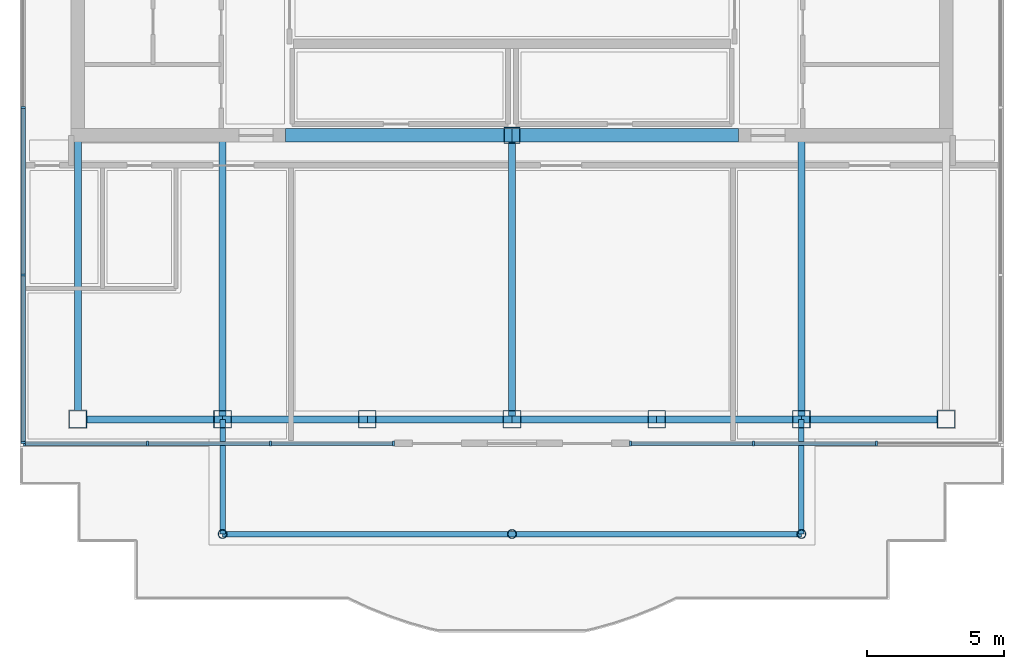
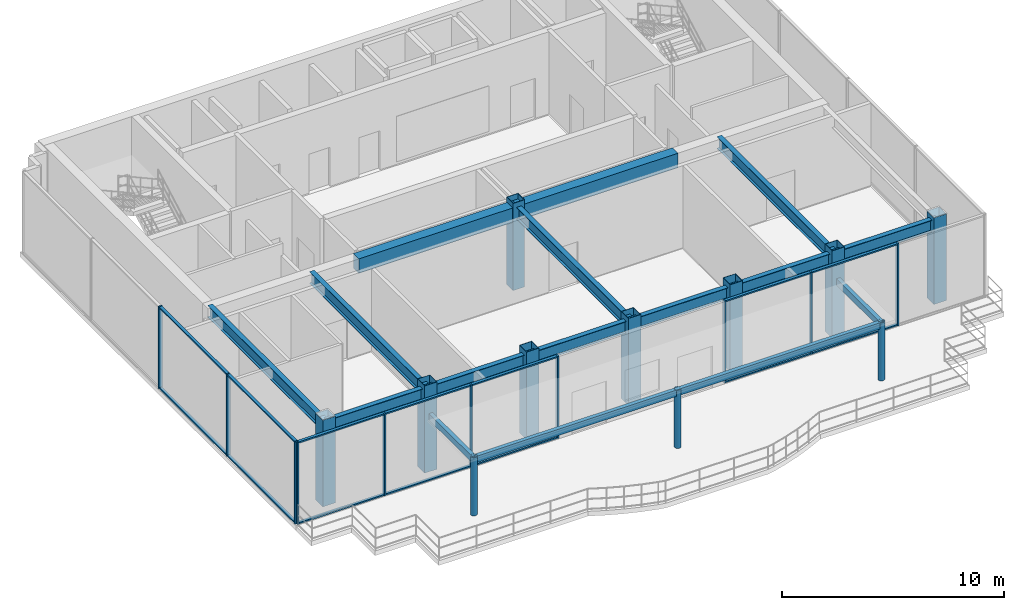
# One storey, part 1 of 11: 24 members, 15 beams, 11 columns, 3 elements without a shape of their own.
"""IFC4 building model written with IfcOpenShell, lengths in metres."""

from ifc_helpers import new_model, si_unit, direction, frame, origin, origin_2d, place, context, subcontext, project, spatial, rectangle, hollow_rectangle, hollow_circle, i_section, extrude, source, transform, mapped, material, layer, layer_set, material_profile, profile_set, type_object, element, aggregate, save


model = new_model("IFC4")

# Units and contexts
model_context = context("Model", 3, precision=1e-05, world=origin(), true_north=direction((0.0, 1.0)))
body_context = subcontext(model_context, "Body", "Model", "MODEL_VIEW")
ifc_project = project(units=[si_unit("LENGTHUNIT", "METRE"), si_unit("AREAUNIT", "SQUARE_METRE"), si_unit("VOLUMEUNIT", "CUBIC_METRE"), si_unit("PLANEANGLEUNIT", "RADIAN"), si_unit("MASSUNIT", "GRAM", prefix="KILO")], contexts=[model_context])

# Site, building, storey
site_placement = place(None, origin())
site = spatial("IfcSite", under=ifc_project, at=site_placement, CompositionType="ELEMENT")
building_placement = place(site_placement, origin())
building = spatial("IfcBuilding", under=site, at=building_placement, Name="Qianlan Lanfeng Residences", CompositionType="ELEMENT")
storey_placement = place(building_placement, frame((0.0, 0.0, 266.0)))
storey = spatial("IfcBuildingStorey", under=building, at=storey_placement, Name="L74", CompositionType="ELEMENT", Elevation=266.0)

# Columns
ifc_material_1 = material(Name="Steel SN490B", Category="steel")
ifc_material_profile_1 = material_profile(ifc_material_1, hollow_rectangle(XDim=0.60009765625, YDim=0.60009765625, WallThickness=0.02197265625, at=origin_2d()), Name="BOX 600x600x22")
ifc_profile_set_1 = profile_set([ifc_material_profile_1], Name="Steel SN490B")
column_type_1 = type_object("IfcColumnType", Name="C-B650", PredefinedType="COLUMN", material=ifc_profile_set_1)
column_placement = place(storey_placement, frame((26.5, 25.199951171875, 0.0), z_axis=(0.0, 0.0, 1.0), x_axis=(1.0, 0.0, 0.0)))
element("IfcColumn", 1, at=column_placement, inside=storey, type_object=column_type_1, Name="L74 Structural Column CP_26.5_25.2", PredefinedType="COLUMN", context=body_context, shape_type="SweptSolid", body=[
    extrude(hollow_rectangle(XDim=0.60009765625, YDim=0.60009765625, WallThickness=0.02197265625, at=origin_2d()), origin(), (0.0, 0.0, 1.0), 4.800048828125),
])
ifc_material_profile_2 = material_profile(ifc_material_1, hollow_rectangle(XDim=0.64990234375, YDim=0.64990234375, WallThickness=0.02197265625, at=origin_2d()), Name="BOX 650x650x22")
ifc_profile_set_2 = profile_set([ifc_material_profile_2], Name="Steel SN490B")
column_type_2 = type_object("IfcColumnType", Name="CE-B700", PredefinedType="COLUMN", material=ifc_profile_set_2)
for number, where, z_axis, x_axis, name in (
    (2, (15.89990234375, 14.800048828125, 0.0), (0.0, 0.0, 1.0), (1.0, 0.0, 0.0), "L74 Structural Column M_15.90_14.80"),
    (3, (21.199951171875, 14.800048828125, 0.0), (0.0, 0.0, 1.0), (1.0, 0.0, 0.0), "L74 Structural Column M_21.20_14.80"),
    (4, (26.5, 14.800048828125, 0.0), (0.0, 0.0, 1.0), (1.0, 0.0, 0.0), "L74 Structural Column M_26.50_14.80"),
    (5, (31.800048828125, 14.800048828125, 0.0), (0.0, 0.0, 1.0), (1.0, 0.0, 0.0), "L74 Structural Column M_31.80_14.80"),
    (6, (37.10009765625, 14.800048828125, 0.0), (0.0, 0.0, 1.0), (1.0, 0.0, 0.0), "L74 Structural Column M_37.10_14.80"),
):
    element("IfcColumn", number, at=place(storey_placement, frame(where, z_axis=z_axis, x_axis=x_axis)), inside=storey, type_object=column_type_2, Name=name, PredefinedType="COLUMN", context=body_context, shape_type="SweptSolid", body=[
        extrude(hollow_rectangle(XDim=0.64990234375, YDim=0.64990234375, WallThickness=0.02197265625, at=origin_2d()), origin(), (0.0, 0.0, 1.0), 4.800048828125),
    ])
for number, where, z_axis, x_axis, name in (
    (7, (10.60009765625, 14.800048828125, 0.0), (0.0, 0.0, 1.0), (1.0, 0.0, 0.0), "L74 Structural Column M_10.60_14.80"),
    (8, (42.39990234375, 14.800048828125, 0.0), (0.0, 0.0, 1.0), (1.0, 0.0, 0.0), "L74 Structural Column M_42.40_14.80"),
):
    element("IfcColumn", number, at=place(storey_placement, frame(where, z_axis=z_axis, x_axis=x_axis)), inside=storey, type_object=column_type_2, Name=name, PredefinedType="COLUMN", context=body_context, shape_type="SweptSolid", body=[
        extrude(hollow_rectangle(XDim=0.64990234375, YDim=0.64990234375, WallThickness=0.02197265625, at=origin_2d()), origin(), (0.0, 0.0, 1.0), 4.763916015625),
    ])
ifc_material_profile_3 = material_profile(ifc_material_1, hollow_circle(Radius=0.161865234375, WallThickness=0.0126953125, at=origin_2d()), Name="CHS 323.9x12.7")
ifc_profile_set_3 = profile_set([ifc_material_profile_3], Name="Steel SN490B")
column_type_3 = type_object("IfcColumnType", Name="CE-P324", PredefinedType="COLUMN", material=ifc_profile_set_3)
for number, where, z_axis, x_axis, name in (
    (9, (15.89990234375, 10.60009765625, 0.0), (0.0, 0.0, 1.0), (1.0, 0.0, 0.0), "L74 Lookout Pergola Column 1"),
    (10, (26.5, 10.60009765625, 0.0), (0.0, 0.0, 1.0), (1.0, 0.0, 0.0), "L74 Lookout Pergola Column 2"),
    (11, (37.10009765625, 10.60009765625, 0.0), (0.0, 0.0, 1.0), (1.0, 0.0, 0.0), "L74 Lookout Pergola Column 3"),
):
    element("IfcColumn", number, at=place(storey_placement, frame(where, z_axis=z_axis, x_axis=x_axis)), inside=storey, type_object=column_type_3, Name=name, PredefinedType="COLUMN", context=body_context, shape_type="SweptSolid", body=[
        extrude(hollow_circle(Radius=0.161865234375, WallThickness=0.0126953125, at=origin_2d()), origin(), (0.0, 0.0, 1.0), 3.199951171875),
    ])

# Beams
ifc_material_profile_4 = material_profile(ifc_material_1, i_section(OverallWidth=0.25, OverallDepth=0.64990234375, WebThickness=0.012939453125, FlangeThickness=0.02197265625, at=origin_2d()), Name="H 650x250x13x22")
ifc_profile_set_4 = profile_set([ifc_material_profile_4], Name="Steel SN490B")
beam_type_1 = type_object("IfcBeamType", Name="G-650", PredefinedType="BEAM", material=ifc_profile_set_4)
beam_1_placement = place(storey_placement, frame((10.60009765625, 14.800048828125, 4.195068359375), z_axis=(1.0, 0.0, 0.0), x_axis=(0.0, 1.0, 0.0)))
element("IfcBeam", 12, at=beam_1_placement, inside=storey, type_object=beam_type_1, Name="Structural beam G-650", PredefinedType="BEAM", context=body_context, shape_type="SweptSolid", body=[
    extrude(i_section(OverallWidth=0.25, OverallDepth=0.64990234375, WebThickness=0.012939453125, FlangeThickness=0.02197265625, at=origin_2d()), origin(), (0.0, 0.0, 1.0), 5.2998046875),
])
for number, where, z_axis, x_axis, name in (
    (13, (15.89990234375, 14.800048828125, 4.195068359375), (1.0, 0.0, 0.0), (0.0, 1.0, 0.0), "Structural beam G-650"),
    (14, (21.199951171875, 14.800048828125, 4.195068359375), (1.0, 0.0, 0.0), (0.0, 1.0, 0.0), "Structural beam G-650"),
    (15, (26.5, 14.800048828125, 4.195068359375), (1.0, 0.0, 0.0), (0.0, 1.0, 0.0), "Structural beam G-650"),
    (16, (31.800048828125, 14.800048828125, 4.195068359375), (1.0, 0.0, 0.0), (0.0, 1.0, 0.0), "Structural beam G-650"),
):
    element("IfcBeam", number, at=place(storey_placement, frame(where, z_axis=z_axis, x_axis=x_axis)), inside=storey, type_object=beam_type_1, Name=name, PredefinedType="BEAM", context=body_context, shape_type="SweptSolid", body=[
        extrude(i_section(OverallWidth=0.25, OverallDepth=0.64990234375, WebThickness=0.012939453125, FlangeThickness=0.02197265625, at=origin_2d()), origin(), (0.0, 0.0, 1.0), 5.300048828125),
    ])
beam_2_placement = place(storey_placement, frame((37.10009765625, 14.800048828125, 4.195068359375), z_axis=(1.0, 0.0, 0.0), x_axis=(0.0, 1.0, 0.0)))
element("IfcBeam", 17, at=beam_2_placement, inside=storey, type_object=beam_type_1, Name="Structural beam G-650", PredefinedType="BEAM", context=body_context, shape_type="SweptSolid", body=[
    extrude(i_section(OverallWidth=0.25, OverallDepth=0.64990234375, WebThickness=0.012939453125, FlangeThickness=0.02197265625, at=origin_2d()), origin(), (0.0, 0.0, 1.0), 5.2998046875),
])
for number, where, z_axis, x_axis, name in (
    (18, (10.60009765625, 14.800048828125, 4.195068359375), (0.0, 1.0, 0.0), (-1.0, 0.0, 0.0), "Structural beam G-650"),
    (19, (15.89990234375, 14.800048828125, 4.195068359375), (0.0, 1.0, 0.0), (-1.0, 0.0, 0.0), "Structural beam G-650"),
    (20, (26.5, 14.800048828125, 4.195068359375), (0.0, 1.0, 0.0), (-1.0, 0.0, 0.0), "Structural beam G-650"),
    (21, (37.10009765625, 14.800048828125, 4.195068359375), (0.0, 1.0, 0.0), (-1.0, 0.0, 0.0), "Structural beam G-650"),
):
    element("IfcBeam", number, at=place(storey_placement, frame(where, z_axis=z_axis, x_axis=x_axis)), inside=storey, type_object=beam_type_1, Name=name, PredefinedType="BEAM", context=body_context, shape_type="SweptSolid", body=[
        extrude(i_section(OverallWidth=0.25, OverallDepth=0.64990234375, WebThickness=0.012939453125, FlangeThickness=0.02197265625, at=origin_2d()), origin(), (0.0, 0.0, 1.0), 10.39990234375),
    ])
ifc_material_2 = material(Name="Concrete C49", Category="concrete")
ifc_material_profile_5 = material_profile(ifc_material_2, rectangle(XDim=0.5, YDim=0.800048828125, at=origin_2d()), Name="RC 500x800")
ifc_profile_set_5 = profile_set([ifc_material_profile_5], Name="Concrete C49")
beam_type_2 = type_object("IfcBeamType", Name="LB-RC750", PredefinedType="BEAM", material=ifc_profile_set_5)
for number, where, z_axis, x_axis, name in (
    (22, (18.199951171875, 25.199951171875, 4.1201171875), (1.0, 0.0, 0.0), (0.0, 1.0, 0.0), "L74 Core Coupling Beam W"),
    (23, (26.5, 25.199951171875, 4.1201171875), (1.0, 0.0, 0.0), (0.0, 1.0, 0.0), "L74 Core Coupling Beam E"),
):
    element("IfcBeam", number, at=place(storey_placement, frame(where, z_axis=z_axis, x_axis=x_axis)), inside=storey, type_object=beam_type_2, Name=name, PredefinedType="BEAM", context=body_context, shape_type="SweptSolid", body=[
        extrude(rectangle(XDim=0.5, YDim=0.800048828125, at=origin_2d()), origin(), (0.0, 0.0, 1.0), 8.300048828125),
    ])
ifc_material_profile_6 = material_profile(ifc_material_1, hollow_rectangle(XDim=0.199951171875, YDim=0.35009765625, WallThickness=0.011962890625, at=origin_2d()), Name="RHS 350x200x12")
ifc_profile_set_6 = profile_set([ifc_material_profile_6], Name="Steel SN490B")
beam_type_3 = type_object("IfcBeamType", Name="SG-500", PredefinedType="SPANDREL", material=ifc_profile_set_6)
beam_3_placement = place(storey_placement, frame((15.89990234375, 10.60009765625, 3.02490234375), z_axis=(1.0, 0.0, 0.0), x_axis=(0.0, 1.0, 0.0)))
element("IfcBeam", 24, at=beam_3_placement, inside=storey, type_object=beam_type_3, Name="L74 Lookout Pergola Header Beam", PredefinedType="SPANDREL", context=body_context, shape_type="SweptSolid", body=[
    extrude(hollow_rectangle(XDim=0.199951171875, YDim=0.35009765625, WallThickness=0.011962890625, at=origin_2d()), origin(), (0.0, 0.0, 1.0), 21.2001953125),
])
for number, where, z_axis, x_axis, name in (
    (25, (15.89990234375, 10.60009765625, 3.02490234375), (0.0, 1.0, 0.0), (-1.0, 0.0, 0.0), "L74 Lookout Pergola West Tie Beam"),
    (26, (37.10009765625, 10.60009765625, 3.02490234375), (0.0, 1.0, 0.0), (-1.0, 0.0, 0.0), "L74 Lookout Pergola East Tie Beam"),
):
    element("IfcBeam", number, at=place(storey_placement, frame(where, z_axis=z_axis, x_axis=x_axis)), inside=storey, type_object=beam_type_3, Name=name, PredefinedType="SPANDREL", context=body_context, shape_type="SweptSolid", body=[
        extrude(hollow_rectangle(XDim=0.199951171875, YDim=0.35009765625, WallThickness=0.011962890625, at=origin_2d()), origin(), (0.0, 0.0, 1.0), 4.199951171875),
    ])

# Curtain wall, members
ifc_material_3 = material(Name="Anodised Bronze Aluminium 6063-T6", Category="aluminium")
ifc_layer = layer(ifc_material_3, 0.219970703125)
ifc_layer_set = layer_set([ifc_layer], Name="Anodised Bronze Aluminium 6063-T6")
curtain_wall_type = type_object("IfcCurtainWallType", Name="CW-06", PredefinedType="NOTDEFINED", material=ifc_layer_set)
curtain_wall_1_placement = place(storey_placement, origin())
curtain_wall_1 = element("IfcCurtainWall", 27, at=curtain_wall_1_placement, inside=storey, type_object=curtain_wall_type, Name="L74 Unitised Curtain Wall CWR-L74-06 (CW-06)", PredefinedType="NOTDEFINED")
ifc_material_profile_7 = material_profile(ifc_material_3, rectangle(XDim=0.074951171875, YDim=0.179931640625, at=origin_2d()), Name="ALU MULLION 75x180")
ifc_profile_set_7 = profile_set([ifc_material_profile_7], Name="Anodised Bronze Aluminium 6063-T6")
member_type_1 = type_object("IfcMemberType", Name="CWM-180", PredefinedType="MULLION", material=ifc_profile_set_7)
shared_shape_1 = source(origin(), body_context, "Body", "SweptSolid", [
    extrude(rectangle(XDim=0.074951171875, YDim=0.179931640625, at=origin_2d()), origin(), (0.0, 0.0, 1.0), 4.52001953125),
])
member_1_placement = place(storey_placement, frame((8.60009765625, 26.22509765625, 0.0), z_axis=(0.0, 0.0, 1.0), x_axis=(0.0, -1.0, 0.0)))
member_1 = element("IfcMember", 28, at=member_1_placement, type_object=member_type_1, Name="CWR-L74-06 Mullion 3", PredefinedType="MULLION", context=body_context, shape_type="MappedRepresentation", body=[
    mapped(shared_shape_1, transform((0.0, 0.0, 0.0), scale=1.0)),
])
member_2_placement = place(storey_placement, frame((8.60009765625, 20.09130859375, 0.0), z_axis=(0.0, 0.0, 1.0), x_axis=(0.0, -1.0, 0.0)))
member_2 = element("IfcMember", 29, at=member_2_placement, type_object=member_type_1, Name="CWR-L74-06 Mullion 4", PredefinedType="MULLION", context=body_context, shape_type="MappedRepresentation", body=[
    mapped(shared_shape_1, transform((0.0, 0.0, 0.0), scale=1.0)),
])
member_3_placement = place(storey_placement, frame((8.60009765625, 13.95751953125, 0.0), z_axis=(0.0, 0.0, 1.0), x_axis=(0.0, -1.0, 0.0)))
member_3 = element("IfcMember", 30, at=member_3_placement, type_object=member_type_1, Name="CWR-L74-06 Mullion 5", PredefinedType="MULLION", context=body_context, shape_type="MappedRepresentation", body=[
    mapped(shared_shape_1, transform((0.0, 0.0, 0.0), scale=1.0)),
])

curtain_wall_2_placement = place(storey_placement, origin())
curtain_wall_2 = element("IfcCurtainWall", 31, at=curtain_wall_2_placement, inside=storey, type_object=curtain_wall_type, Name="L74 Unitised Curtain Wall CWR-L74-SW (CW-06)", PredefinedType="NOTDEFINED")
member_4_placement = place(storey_placement, frame((8.637451171875, 13.919921875, 0.0), z_axis=(0.0, 0.0, 1.0), x_axis=(1.0, 0.0, 0.0)))
member_4 = element("IfcMember", 32, at=member_4_placement, type_object=member_type_1, Name="CWR-L74-SW Mullion 1", PredefinedType="MULLION", context=body_context, shape_type="MappedRepresentation", body=[
    mapped(shared_shape_1, transform((0.0, 0.0, 0.0), scale=1.0)),
])
member_5_placement = place(storey_placement, frame((13.145751953125, 13.919921875, 0.0), z_axis=(0.0, 0.0, 1.0), x_axis=(1.0, 0.0, 0.0)))
member_5 = element("IfcMember", 33, at=member_5_placement, type_object=member_type_1, Name="CWR-L74-SW Mullion 2", PredefinedType="MULLION", context=body_context, shape_type="MappedRepresentation", body=[
    mapped(shared_shape_1, transform((0.0, 0.0, 0.0), scale=1.0)),
])
member_6_placement = place(storey_placement, frame((17.654296875, 13.919921875, 0.0), z_axis=(0.0, 0.0, 1.0), x_axis=(1.0, 0.0, 0.0)))
member_6 = element("IfcMember", 34, at=member_6_placement, type_object=member_type_1, Name="CWR-L74-SW Mullion 3", PredefinedType="MULLION", context=body_context, shape_type="MappedRepresentation", body=[
    mapped(shared_shape_1, transform((0.0, 0.0, 0.0), scale=1.0)),
])
member_7_placement = place(storey_placement, frame((22.16259765625, 13.919921875, 0.0), z_axis=(0.0, 0.0, 1.0), x_axis=(1.0, 0.0, 0.0)))
member_7 = element("IfcMember", 35, at=member_7_placement, type_object=member_type_1, Name="CWR-L74-SW Mullion 4", PredefinedType="MULLION", context=body_context, shape_type="MappedRepresentation", body=[
    mapped(shared_shape_1, transform((0.0, 0.0, 0.0), scale=1.0)),
])

curtain_wall_3_placement = place(storey_placement, origin())
curtain_wall_3 = element("IfcCurtainWall", 36, at=curtain_wall_3_placement, inside=storey, type_object=curtain_wall_type, Name="L74 Unitised Curtain Wall CWR-L74-SE (CW-06)", PredefinedType="NOTDEFINED")
member_8_placement = place(storey_placement, frame((30.83740234375, 13.919921875, 0.0), z_axis=(0.0, 0.0, 1.0), x_axis=(1.0, 0.0, 0.0)))
member_8 = element("IfcMember", 37, at=member_8_placement, type_object=member_type_1, Name="CWR-L74-SE Mullion 1", PredefinedType="MULLION", context=body_context, shape_type="MappedRepresentation", body=[
    mapped(shared_shape_1, transform((0.0, 0.0, 0.0), scale=1.0)),
])
member_9_placement = place(storey_placement, frame((35.345703125, 13.919921875, 0.0), z_axis=(0.0, 0.0, 1.0), x_axis=(1.0, 0.0, 0.0)))
member_9 = element("IfcMember", 38, at=member_9_placement, type_object=member_type_1, Name="CWR-L74-SE Mullion 2", PredefinedType="MULLION", context=body_context, shape_type="MappedRepresentation", body=[
    mapped(shared_shape_1, transform((0.0, 0.0, 0.0), scale=1.0)),
])
member_10_placement = place(storey_placement, frame((39.854248046875, 13.919921875, 0.0), z_axis=(0.0, 0.0, 1.0), x_axis=(1.0, 0.0, 0.0)))
member_10 = element("IfcMember", 39, at=member_10_placement, type_object=member_type_1, Name="CWR-L74-SE Mullion 3", PredefinedType="MULLION", context=body_context, shape_type="MappedRepresentation", body=[
    mapped(shared_shape_1, transform((0.0, 0.0, 0.0), scale=1.0)),
])

# Member
ifc_material_profile_8 = material_profile(ifc_material_3, rectangle(XDim=0.074951171875, YDim=0.14990234375, at=origin_2d()), Name="ALU TRANSOM 75x150")
ifc_profile_set_8 = profile_set([ifc_material_profile_8], Name="Anodised Bronze Aluminium 6063-T6")
member_type_2 = type_object("IfcMemberType", Name="CWT-150", PredefinedType="USERDEFINED", material=ifc_profile_set_8)
shared_shape_2 = source(origin(), body_context, "Body", "SweptSolid", [
    extrude(rectangle(XDim=0.074951171875, YDim=0.14990234375, at=origin_2d()), origin(), (0.0, 0.0, 1.0), 6.058837890625),
])
member_11_placement = place(storey_placement, frame((8.60009765625, 26.1875, 0.03759765625), z_axis=(0.0, -1.0, 0.0), x_axis=(0.0, 0.0, 1.0)))
member_11 = element("IfcMember", 40, at=member_11_placement, type_object=member_type_2, Name="CWR-L74-06 Transom 3-BOT", ObjectType="TRANSOM", PredefinedType="USERDEFINED", context=body_context, shape_type="MappedRepresentation", body=[
    mapped(shared_shape_2, transform((0.0, 0.0, 0.0), scale=1.0)),
])

member_12_placement = place(storey_placement, frame((8.60009765625, 26.1875, 4.482421875), z_axis=(0.0, -1.0, 0.0), x_axis=(0.0, 0.0, 1.0)))
member_12 = element("IfcMember", 41, at=member_12_placement, type_object=member_type_2, Name="CWR-L74-06 Transom 3-TOP", ObjectType="TRANSOM", PredefinedType="USERDEFINED", context=body_context, shape_type="MappedRepresentation", body=[
    mapped(shared_shape_2, transform((0.0, 0.0, 0.0), scale=1.0)),
])

shared_shape_3 = source(origin(), body_context, "Body", "SweptSolid", [
    extrude(rectangle(XDim=0.074951171875, YDim=0.14990234375, at=origin_2d()), origin(), (0.0, 0.0, 1.0), 6.05859375),
])
member_13_placement = place(storey_placement, frame((8.60009765625, 20.0537109375, 0.03759765625), z_axis=(0.0, -1.0, 0.0), x_axis=(0.0, 0.0, 1.0)))
member_13 = element("IfcMember", 42, at=member_13_placement, type_object=member_type_2, Name="CWR-L74-06 Transom 4-BOT", ObjectType="TRANSOM", PredefinedType="USERDEFINED", context=body_context, shape_type="MappedRepresentation", body=[
    mapped(shared_shape_3, transform((0.0, 0.0, 0.0), scale=1.0)),
])

member_14_placement = place(storey_placement, frame((8.60009765625, 20.0537109375, 4.482421875), z_axis=(0.0, -1.0, 0.0), x_axis=(0.0, 0.0, 1.0)))
member_14 = element("IfcMember", 43, at=member_14_placement, type_object=member_type_2, Name="CWR-L74-06 Transom 4-TOP", ObjectType="TRANSOM", PredefinedType="USERDEFINED", context=body_context, shape_type="MappedRepresentation", body=[
    mapped(shared_shape_3, transform((0.0, 0.0, 0.0), scale=1.0)),
])

aggregate(curtain_wall_1, [member_1, member_2, member_3, member_11, member_12, member_13, member_14])

shared_shape_4 = source(origin(), body_context, "Body", "SweptSolid", [
    extrude(rectangle(XDim=0.074951171875, YDim=0.14990234375, at=origin_2d()), origin(), (0.0, 0.0, 1.0), 4.433349609375),
])
member_15_placement = place(storey_placement, frame((8.675048828125, 13.919921875, 0.03759765625), z_axis=(1.0, 0.0, 0.0), x_axis=(0.0, 0.0, 1.0)))
member_15 = element("IfcMember", 44, at=member_15_placement, type_object=member_type_2, Name="CWR-L74-SW Transom 1-BOT", ObjectType="TRANSOM", PredefinedType="USERDEFINED", context=body_context, shape_type="MappedRepresentation", body=[
    mapped(shared_shape_4, transform((0.0, 0.0, 0.0), scale=1.0)),
])

member_16_placement = place(storey_placement, frame((8.675048828125, 13.919921875, 4.482421875), z_axis=(1.0, 0.0, 0.0), x_axis=(0.0, 0.0, 1.0)))
member_16 = element("IfcMember", 45, at=member_16_placement, type_object=member_type_2, Name="CWR-L74-SW Transom 1-TOP", ObjectType="TRANSOM", PredefinedType="USERDEFINED", context=body_context, shape_type="MappedRepresentation", body=[
    mapped(shared_shape_4, transform((0.0, 0.0, 0.0), scale=1.0)),
])

member_17_placement = place(storey_placement, frame((13.183349609375, 13.919921875, 0.03759765625), z_axis=(1.0, 0.0, 0.0), x_axis=(0.0, 0.0, 1.0)))
member_17 = element("IfcMember", 46, at=member_17_placement, type_object=member_type_2, Name="CWR-L74-SW Transom 2-BOT", ObjectType="TRANSOM", PredefinedType="USERDEFINED", context=body_context, shape_type="MappedRepresentation", body=[
    mapped(shared_shape_4, transform((0.0, 0.0, 0.0), scale=1.0)),
])

member_18_placement = place(storey_placement, frame((13.183349609375, 13.919921875, 4.482421875), z_axis=(1.0, 0.0, 0.0), x_axis=(0.0, 0.0, 1.0)))
member_18 = element("IfcMember", 47, at=member_18_placement, type_object=member_type_2, Name="CWR-L74-SW Transom 2-TOP", ObjectType="TRANSOM", PredefinedType="USERDEFINED", context=body_context, shape_type="MappedRepresentation", body=[
    mapped(shared_shape_4, transform((0.0, 0.0, 0.0), scale=1.0)),
])

member_19_placement = place(storey_placement, frame((17.691650390625, 13.919921875, 0.03759765625), z_axis=(1.0, 0.0, 0.0), x_axis=(0.0, 0.0, 1.0)))
member_19 = element("IfcMember", 48, at=member_19_placement, type_object=member_type_2, Name="CWR-L74-SW Transom 3-BOT", ObjectType="TRANSOM", PredefinedType="USERDEFINED", context=body_context, shape_type="MappedRepresentation", body=[
    mapped(shared_shape_4, transform((0.0, 0.0, 0.0), scale=1.0)),
])

member_20_placement = place(storey_placement, frame((17.691650390625, 13.919921875, 4.482421875), z_axis=(1.0, 0.0, 0.0), x_axis=(0.0, 0.0, 1.0)))
member_20 = element("IfcMember", 49, at=member_20_placement, type_object=member_type_2, Name="CWR-L74-SW Transom 3-TOP", ObjectType="TRANSOM", PredefinedType="USERDEFINED", context=body_context, shape_type="MappedRepresentation", body=[
    mapped(shared_shape_4, transform((0.0, 0.0, 0.0), scale=1.0)),
])

aggregate(curtain_wall_2, [member_4, member_5, member_6, member_7, member_15, member_16, member_17, member_18, member_19, member_20])

member_21_placement = place(storey_placement, frame((30.875, 13.919921875, 0.03759765625), z_axis=(1.0, 0.0, 0.0), x_axis=(0.0, 0.0, 1.0)))
member_21 = element("IfcMember", 50, at=member_21_placement, type_object=member_type_2, Name="CWR-L74-SE Transom 1-BOT", ObjectType="TRANSOM", PredefinedType="USERDEFINED", context=body_context, shape_type="MappedRepresentation", body=[
    mapped(shared_shape_4, transform((0.0, 0.0, 0.0), scale=1.0)),
])

member_22_placement = place(storey_placement, frame((30.875, 13.919921875, 4.482421875), z_axis=(1.0, 0.0, 0.0), x_axis=(0.0, 0.0, 1.0)))
member_22 = element("IfcMember", 51, at=member_22_placement, type_object=member_type_2, Name="CWR-L74-SE Transom 1-TOP", ObjectType="TRANSOM", PredefinedType="USERDEFINED", context=body_context, shape_type="MappedRepresentation", body=[
    mapped(shared_shape_4, transform((0.0, 0.0, 0.0), scale=1.0)),
])

member_23_placement = place(storey_placement, frame((35.38330078125, 13.919921875, 0.03759765625), z_axis=(1.0, 0.0, 0.0), x_axis=(0.0, 0.0, 1.0)))
member_23 = element("IfcMember", 52, at=member_23_placement, type_object=member_type_2, Name="CWR-L74-SE Transom 2-BOT", ObjectType="TRANSOM", PredefinedType="USERDEFINED", context=body_context, shape_type="MappedRepresentation", body=[
    mapped(shared_shape_4, transform((0.0, 0.0, 0.0), scale=1.0)),
])

member_24_placement = place(storey_placement, frame((35.38330078125, 13.919921875, 4.482421875), z_axis=(1.0, 0.0, 0.0), x_axis=(0.0, 0.0, 1.0)))
member_24 = element("IfcMember", 53, at=member_24_placement, type_object=member_type_2, Name="CWR-L74-SE Transom 2-TOP", ObjectType="TRANSOM", PredefinedType="USERDEFINED", context=body_context, shape_type="MappedRepresentation", body=[
    mapped(shared_shape_4, transform((0.0, 0.0, 0.0), scale=1.0)),
])

aggregate(curtain_wall_3, [member_8, member_9, member_10, member_21, member_22, member_23, member_24])

save(model, "model.ifc")
